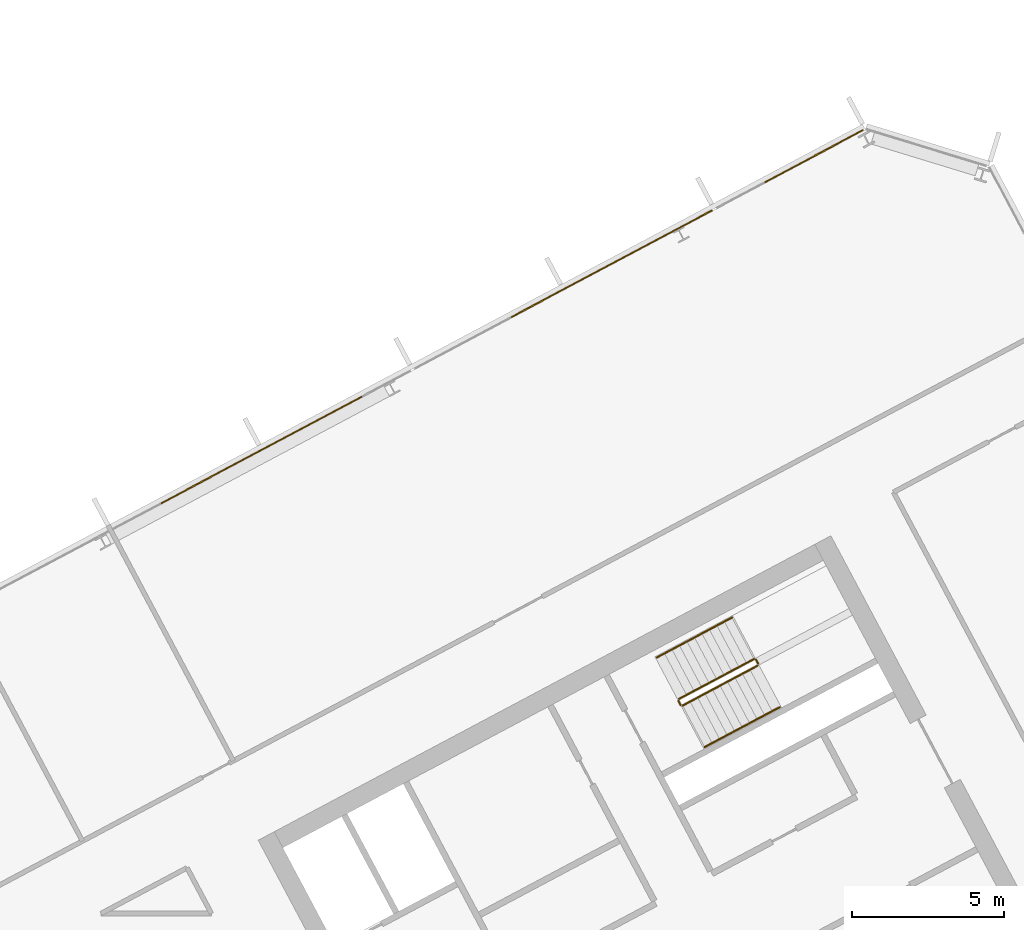
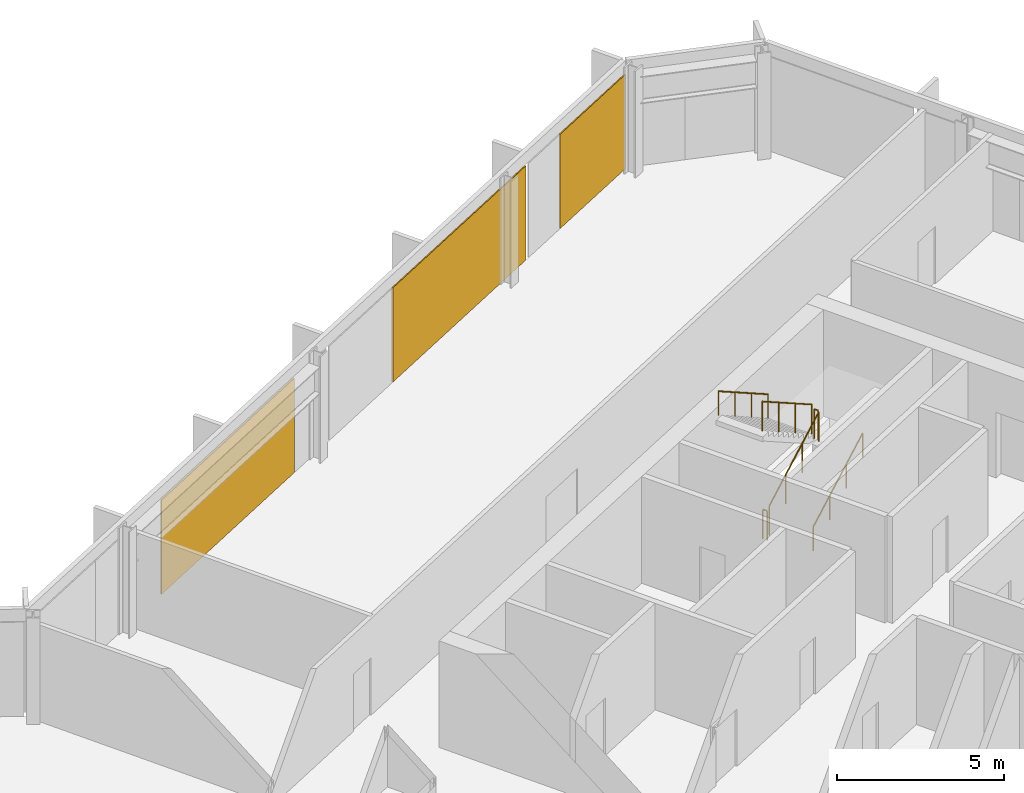
# One storey, part 25 of 26: 6 railings, 3 coverings, 1 element without a shape of its own.
"""IFC4 building model written with IfcOpenShell, lengths in metres."""

from ifc_helpers import new_model, si_unit, direction, frame, origin, origin_2d, place, context, subcontext, project, spatial, polyline, rectangle, outline, extrude, material, layer, layer_set, type_object, element, aggregate, save


model = new_model("IFC4")

# Units and contexts
model_context = context("Model", 3, precision=1e-05, world=origin(), true_north=direction((0.0, 1.0)))
body_context = subcontext(model_context, "Body", "Model", "MODEL_VIEW")
ifc_project = project(units=[si_unit("LENGTHUNIT", "METRE"), si_unit("AREAUNIT", "SQUARE_METRE"), si_unit("VOLUMEUNIT", "CUBIC_METRE"), si_unit("PLANEANGLEUNIT", "RADIAN"), si_unit("MASSUNIT", "GRAM", prefix="KILO")], contexts=[model_context])

# Site, building, storey
site_placement = place(None, origin())
site = spatial("IfcSite", under=ifc_project, at=site_placement, CompositionType="ELEMENT")
building_placement = place(site_placement, origin())
building = spatial("IfcBuilding", under=site, at=building_placement, Name="Cormorant Relay Tower", CompositionType="ELEMENT")
storey_placement = place(building_placement, frame((0.0, 0.0, 205.199951171875)))
storey = spatial("IfcBuildingStorey", under=building, at=storey_placement, Name="L44", CompositionType="ELEMENT", Elevation=205.199951171875)

# Curtain wall, coverings
ifc_material_1 = material(Name="Aluminium 6063-T6 anodised bronze", Category="aluminium")
ifc_layer_1 = layer(ifc_material_1, 0.199951171875)
ifc_layer_set_1 = layer_set([ifc_layer_1], Name="CW1 unitised bronze curtain wall with vertical fins")
curtain_wall_type = type_object("IfcCurtainWallType", Name="CW1 unitised bronze curtain wall with vertical fins", PredefinedType="NOTDEFINED", material=ifc_layer_set_1)
curtain_wall_placement = place(storey_placement, origin())
curtain_wall = element("IfcCurtainWall", 1, at=curtain_wall_placement, inside=storey, type_object=curtain_wall_type, Name="CW1 curtain wall 8", PredefinedType="NOTDEFINED")
ifc_material_2 = material(Name="Pale bronze anodised aluminium insulated panel", Category="aluminium")
ifc_layer_2 = layer(ifc_material_2, 0.0400390625)
ifc_layer_set_2 = layer_set([ifc_layer_2], Name="CW1 pale bronze insulated panel 40")
covering_type = type_object("IfcCoveringType", Name="CW1 pale bronze insulated panel 40", PredefinedType="CLADDING", material=ifc_layer_set_2)
covering_1_placement = place(storey_placement, frame((28.16943359375, 38.78466796875, 0.0), z_axis=(0.0, 0.0, 1.0), x_axis=(-0.882947592859, -0.469471562786, 0.0)))
covering_1 = element("IfcCovering", 2, at=covering_1_placement, type_object=covering_type, Name="CW1 panel S00", PredefinedType="CLADDING", context=body_context, shape_type="SweptSolid", body=[
    extrude(rectangle(XDim=3.68896484375, YDim=0.0400390625, at=origin_2d()), origin(), (0.0, 0.0, 1.0), 3.449951171875),
])
covering_2_placement = place(storey_placement, frame((21.49560546875, 35.236083984375, 0.0), z_axis=(0.0, 0.0, 1.0), x_axis=(-0.882947592859, -0.469471562786, 0.0)))
covering_2 = element("IfcCovering", 3, at=covering_2_placement, type_object=covering_type, Name="CW1 panel S02", PredefinedType="CLADDING", context=body_context, shape_type="SweptSolid", body=[
    extrude(rectangle(XDim=7.528076171875, YDim=0.0400390625, at=origin_2d()), origin(), (0.0, 0.0, 1.0), 3.449951171875),
])
covering_3_placement = place(storey_placement, frame((9.948486328125, 29.09619140625, 0.0), z_axis=(0.0, 0.0, 1.0), x_axis=(-0.882947592859, -0.469471562786, 0.0)))
covering_3 = element("IfcCovering", 4, at=covering_3_placement, type_object=covering_type, Name="CW1 panel S05", PredefinedType="CLADDING", context=body_context, shape_type="SweptSolid", body=[
    extrude(rectangle(XDim=7.528076171875, YDim=0.0400390625, at=origin_2d()), origin(), (0.0, 0.0, 1.0), 3.449951171875),
])
aggregate(curtain_wall, [covering_1, covering_2, covering_3])

# Railings
ifc_material_3 = material(Name="Steel ASTM A572 Grade 50 (Fy 345 MPa)", Category="steel")
railing_type_1 = type_object("IfcRailingType", Name="Stair guard 1100", PredefinedType="GUARDRAIL", material=ifc_material_3)
railing_1_placement = place(storey_placement, frame((23.8408203125, 20.6611328125, 0.17724609375)))
element("IfcRailing", 5, at=railing_1_placement, inside=storey, type_object=railing_type_1, Name="L44 B2 stair guard 1", PredefinedType="GUARDRAIL", context=body_context, shape_type="SweptSolid", body=[
    extrude(outline(polyline([(0.022216796875, 0.00927734375), (0.00927734375, 0.022216796875), (-0.00927734375, 0.022216796875), (-0.022216796875, 0.00927734375), (-0.022216796875, -0.00927734375), (-0.00927734375, -0.022216796875), (0.00927734375, -0.022216796875), (0.022216796875, -0.00927734375), (0.022216796875, 0.00927734375)])), frame((0.0, 0.0, 1.076171875), z_axis=(0.746033882577, 0.396627473466, 0.534901947407), x_axis=(-0.469429322983, 0.882970050864, 0.0)), (0.0, 0.0, 1.0), 3.31396484375),
    extrude(outline(polyline([(0.019287109375, 0.008056640625), (0.008056640625, 0.019287109375), (-0.008056640625, 0.019287109375), (-0.019287109375, 0.008056640625), (-0.019287109375, -0.008056640625), (-0.008056640625, -0.019287109375), (0.008056640625, -0.019287109375), (0.019287109375, -0.008056640625), (0.019287109375, 0.008056640625)])), origin(), (0.0, 0.0, 1.0), 1.052001953125),
    extrude(outline(polyline([(0.019287109375, 0.008056640625), (0.008056640625, 0.019287109375), (-0.008056640625, 0.019287109375), (-0.019287109375, 0.008056640625), (-0.019287109375, -0.008056640625), (-0.008056640625, -0.019287109375), (0.008056640625, -0.019287109375), (0.019287109375, -0.008056640625), (0.019287109375, 0.008056640625)])), frame((0.82421875, 0.438232421875, 0.5908203125)), (0.0, 0.0, 1.0), 1.052001953125),
    extrude(outline(polyline([(0.019287109375, 0.008056640625), (0.008056640625, 0.019287109375), (-0.008056640625, 0.019287109375), (-0.019287109375, 0.008056640625), (-0.019287109375, -0.008056640625), (-0.008056640625, -0.019287109375), (0.008056640625, -0.019287109375), (0.019287109375, -0.008056640625), (0.019287109375, 0.008056640625)])), frame((1.648193359375, 0.876220703125, 1.181884765625)), (0.0, 0.0, 1.0), 1.052001953125),
    extrude(outline(polyline([(0.019287109375, 0.008056640625), (0.008056640625, 0.019287109375), (-0.008056640625, 0.019287109375), (-0.019287109375, 0.008056640625), (-0.019287109375, -0.008056640625), (-0.008056640625, -0.019287109375), (0.008056640625, -0.019287109375), (0.019287109375, -0.008056640625), (0.019287109375, 0.008056640625)])), frame((2.472412109375, 1.314453125, 1.772705078125)), (0.0, 0.0, 1.0), 1.052001953125),
])
railing_2_placement = place(storey_placement, frame((26.333740234375, 22.043212890625, 1.949951171875)))
element("IfcRailing", 6, at=railing_2_placement, inside=storey, type_object=railing_type_1, Name="L44 B2 stair guard 2", PredefinedType="GUARDRAIL", context=body_context, shape_type="SweptSolid", body=[
    extrude(outline(polyline([(0.022216796875, 0.00927734375), (0.00927734375, 0.022216796875), (-0.00927734375, 0.022216796875), (-0.022216796875, 0.00927734375), (-0.022216796875, -0.00927734375), (-0.00927734375, -0.022216796875), (0.00927734375, -0.022216796875), (0.022216796875, -0.00927734375), (0.022216796875, 0.00927734375)])), frame((0.0, 0.0, 1.076171875), z_axis=(-0.469234640946, 0.883073525669, 0.0), x_axis=(-0.883073525669, -0.469234640946, 0.0)), (0.0, 0.0, 1.0), 0.14990234375),
    extrude(outline(polyline([(0.019287109375, 0.008056640625), (0.008056640625, 0.019287109375), (-0.008056640625, 0.019287109375), (-0.019287109375, 0.008056640625), (-0.019287109375, -0.008056640625), (-0.008056640625, -0.019287109375), (0.008056640625, -0.019287109375), (0.019287109375, -0.008056640625), (0.019287109375, 0.008056640625)])), origin(), (0.0, 0.0, 1.0), 1.052001953125),
    extrude(outline(polyline([(0.019287109375, 0.008056640625), (0.008056640625, 0.019287109375), (-0.008056640625, 0.019287109375), (-0.019287109375, 0.008056640625), (-0.019287109375, -0.008056640625), (-0.008056640625, -0.019287109375), (0.008056640625, -0.019287109375), (0.019287109375, -0.008056640625), (0.019287109375, 0.008056640625)])), frame((-0.0703125, 0.13232421875, 0.0)), (0.0, 0.0, 1.0), 1.052001953125),
])
railing_3_placement = place(storey_placement, frame((26.19580078125, 22.1962890625, 2.12744140625)))
element("IfcRailing", 7, at=railing_3_placement, inside=storey, type_object=railing_type_1, Name="L44 B2 stair guard 3", PredefinedType="GUARDRAIL", context=body_context, shape_type="SweptSolid", body=[
    extrude(outline(polyline([(0.022216796875, 0.00927734375), (0.00927734375, 0.022216796875), (-0.00927734375, 0.022216796875), (-0.022216796875, 0.00927734375), (-0.022216796875, -0.00927734375), (-0.00927734375, -0.022216796875), (0.00927734375, -0.022216796875), (0.022216796875, -0.00927734375), (0.022216796875, 0.00927734375)])), frame((0.0, 0.0, 1.076171875), z_axis=(-0.746033882577, -0.396627473466, 0.534901947407), x_axis=(0.469429322983, -0.882970050864, 0.0)), (0.0, 0.0, 1.0), 3.31396484375),
    extrude(outline(polyline([(0.019287109375, 0.008056640625), (0.008056640625, 0.019287109375), (-0.008056640625, 0.019287109375), (-0.019287109375, 0.008056640625), (-0.019287109375, -0.008056640625), (-0.008056640625, -0.019287109375), (0.008056640625, -0.019287109375), (0.019287109375, -0.008056640625), (0.019287109375, 0.008056640625)])), origin(), (0.0, 0.0, 1.0), 1.052001953125),
    extrude(outline(polyline([(0.019287109375, 0.008056640625), (0.008056640625, 0.019287109375), (-0.008056640625, 0.019287109375), (-0.019287109375, 0.008056640625), (-0.019287109375, -0.008056640625), (-0.008056640625, -0.019287109375), (0.008056640625, -0.019287109375), (0.019287109375, -0.008056640625), (0.019287109375, 0.008056640625)])), frame((-0.82421875, -0.438232421875, 0.5908203125)), (0.0, 0.0, 1.0), 1.052001953125),
    extrude(outline(polyline([(0.019287109375, 0.008056640625), (0.008056640625, 0.019287109375), (-0.008056640625, 0.019287109375), (-0.019287109375, 0.008056640625), (-0.019287109375, -0.008056640625), (-0.008056640625, -0.019287109375), (0.008056640625, -0.019287109375), (0.019287109375, -0.008056640625), (0.019287109375, 0.008056640625)])), frame((-1.648193359375, -0.876220703125, 1.181884765625)), (0.0, 0.0, 1.0), 1.052001953125),
    extrude(outline(polyline([(0.019287109375, 0.008056640625), (0.008056640625, 0.019287109375), (-0.008056640625, 0.019287109375), (-0.019287109375, 0.008056640625), (-0.019287109375, -0.008056640625), (-0.008056640625, -0.019287109375), (0.008056640625, -0.019287109375), (0.019287109375, -0.008056640625), (0.019287109375, 0.008056640625)])), frame((-2.472412109375, -1.314453125, 1.772705078125)), (0.0, 0.0, 1.0), 1.052001953125),
])
railing_4_placement = place(storey_placement, frame((23.773193359375, 20.681640625, 0.0)))
element("IfcRailing", 8, at=railing_4_placement, inside=storey, type_object=railing_type_1, Name="L44 B2 stair guard 4", PredefinedType="GUARDRAIL", context=body_context, shape_type="SweptSolid", body=[
    extrude(outline(polyline([(0.022216796875, 0.00927734375), (0.00927734375, 0.022216796875), (-0.00927734375, 0.022216796875), (-0.022216796875, 0.00927734375), (-0.022216796875, -0.00927734375), (-0.00927734375, -0.022216796875), (0.00927734375, -0.022216796875), (0.022216796875, -0.00927734375), (0.022216796875, 0.00927734375)])), frame((0.0, 0.0, 1.076171875), z_axis=(-0.46856034887, 0.8834314911, 0.0), x_axis=(-0.8834314911, -0.46856034887, 0.0)), (0.0, 0.0, 1.0), 0.150146484375),
    extrude(outline(polyline([(0.019287109375, 0.008056640625), (0.008056640625, 0.019287109375), (-0.008056640625, 0.019287109375), (-0.019287109375, 0.008056640625), (-0.019287109375, -0.008056640625), (-0.008056640625, -0.019287109375), (0.008056640625, -0.019287109375), (0.019287109375, -0.008056640625), (0.019287109375, 0.008056640625)])), origin(), (0.0, 0.0, 1.0), 1.052001953125),
    extrude(outline(polyline([(0.019287109375, 0.008056640625), (0.008056640625, 0.019287109375), (-0.008056640625, 0.019287109375), (-0.019287109375, 0.008056640625), (-0.019287109375, -0.008056640625), (-0.008056640625, -0.019287109375), (0.008056640625, -0.019287109375), (0.019287109375, -0.008056640625), (0.019287109375, 0.008056640625)])), frame((-0.0703125, 0.132568359375, 0.0)), (0.0, 0.0, 1.0), 1.052001953125),
])
ifc_material_4 = material(Name="Steel ASTM A572 Grade 50 (Fy 345 MPa)", Category="steel")
railing_type_2 = type_object("IfcRailingType", Name="Stair handrail 900", PredefinedType="HANDRAIL", material=ifc_material_4)
railing_5_placement = place(storey_placement, frame((24.568603515625, 19.29248046875, 0.17724609375)))
element("IfcRailing", 9, at=railing_5_placement, inside=storey, type_object=railing_type_2, Name="L44 B2 stair handrail 1", PredefinedType="HANDRAIL", context=body_context, shape_type="SweptSolid", body=[
    extrude(outline(polyline([(0.022216796875, 0.00927734375), (0.00927734375, 0.022216796875), (-0.00927734375, 0.022216796875), (-0.022216796875, 0.00927734375), (-0.022216796875, -0.00927734375), (-0.00927734375, -0.022216796875), (0.00927734375, -0.022216796875), (0.022216796875, -0.00927734375), (0.022216796875, 0.00927734375)])), frame((0.0, 0.0, 0.8759765625), z_axis=(0.746001213114, 0.396649272309, 0.534931345884), x_axis=(-0.469465464807, 0.882950835185, 0.0)), (0.0, 0.0, 1.0), 3.31396484375),
    extrude(outline(polyline([(0.019287109375, 0.008056640625), (0.008056640625, 0.019287109375), (-0.008056640625, 0.019287109375), (-0.019287109375, 0.008056640625), (-0.019287109375, -0.008056640625), (-0.008056640625, -0.019287109375), (0.008056640625, -0.019287109375), (0.019287109375, -0.008056640625), (0.019287109375, 0.008056640625)])), origin(), (0.0, 0.0, 1.0), 0.851806640625),
    extrude(outline(polyline([(0.019287109375, 0.008056640625), (0.008056640625, 0.019287109375), (-0.008056640625, 0.019287109375), (-0.019287109375, 0.008056640625), (-0.019287109375, -0.008056640625), (-0.008056640625, -0.019287109375), (0.008056640625, -0.019287109375), (0.019287109375, -0.008056640625), (0.019287109375, 0.008056640625)])), frame((0.823974609375, 0.438232421875, 0.5908203125)), (0.0, 0.0, 1.0), 0.851806640625),
    extrude(outline(polyline([(0.019287109375, 0.008056640625), (0.008056640625, 0.019287109375), (-0.008056640625, 0.019287109375), (-0.019287109375, 0.008056640625), (-0.019287109375, -0.008056640625), (-0.008056640625, -0.019287109375), (0.008056640625, -0.019287109375), (0.019287109375, -0.008056640625), (0.019287109375, 0.008056640625)])), frame((1.648193359375, 0.876220703125, 1.181884765625)), (0.0, 0.0, 1.0), 0.851806640625),
    extrude(outline(polyline([(0.019287109375, 0.008056640625), (0.008056640625, 0.019287109375), (-0.008056640625, 0.019287109375), (-0.019287109375, 0.008056640625), (-0.019287109375, -0.008056640625), (-0.008056640625, -0.019287109375), (0.008056640625, -0.019287109375), (0.019287109375, -0.008056640625), (0.019287109375, 0.008056640625)])), frame((2.47216796875, 1.314453125, 1.772705078125)), (0.0, 0.0, 1.0), 0.851806640625),
])
railing_6_placement = place(storey_placement, frame((25.468017578125, 23.56494140625, 2.12744140625)))
element("IfcRailing", 10, at=railing_6_placement, inside=storey, type_object=railing_type_2, Name="L44 B2 stair handrail 2", PredefinedType="HANDRAIL", context=body_context, shape_type="SweptSolid", body=[
    extrude(outline(polyline([(0.022216796875, 0.00927734375), (0.00927734375, 0.022216796875), (-0.00927734375, 0.022216796875), (-0.022216796875, 0.00927734375), (-0.022216796875, -0.00927734375), (-0.00927734375, -0.022216796875), (0.00927734375, -0.022216796875), (0.022216796875, -0.00927734375), (0.022216796875, 0.00927734375)])), frame((0.0, 0.0, 0.8759765625), z_axis=(-0.745979412481, -0.396711350603, 0.534915713414), x_axis=(0.469533439143, -0.882914689835, 0.0)), (0.0, 0.0, 1.0), 3.31396484375),
    extrude(outline(polyline([(0.019287109375, 0.008056640625), (0.008056640625, 0.019287109375), (-0.008056640625, 0.019287109375), (-0.019287109375, 0.008056640625), (-0.019287109375, -0.008056640625), (-0.008056640625, -0.019287109375), (0.008056640625, -0.019287109375), (0.019287109375, -0.008056640625), (0.019287109375, 0.008056640625)])), origin(), (0.0, 0.0, 1.0), 0.851806640625),
    extrude(outline(polyline([(0.019287109375, 0.008056640625), (0.008056640625, 0.019287109375), (-0.008056640625, 0.019287109375), (-0.019287109375, 0.008056640625), (-0.019287109375, -0.008056640625), (-0.008056640625, -0.019287109375), (0.008056640625, -0.019287109375), (0.019287109375, -0.008056640625), (0.019287109375, 0.008056640625)])), frame((-0.823974609375, -0.438232421875, 0.5908203125)), (0.0, 0.0, 1.0), 0.851806640625),
    extrude(outline(polyline([(0.019287109375, 0.008056640625), (0.008056640625, 0.019287109375), (-0.008056640625, 0.019287109375), (-0.019287109375, 0.008056640625), (-0.019287109375, -0.008056640625), (-0.008056640625, -0.019287109375), (0.008056640625, -0.019287109375), (0.019287109375, -0.008056640625), (0.019287109375, 0.008056640625)])), frame((-1.648193359375, -0.87646484375, 1.181884765625)), (0.0, 0.0, 1.0), 0.851806640625),
    extrude(outline(polyline([(0.019287109375, 0.008056640625), (0.008056640625, 0.019287109375), (-0.008056640625, 0.019287109375), (-0.019287109375, 0.008056640625), (-0.019287109375, -0.008056640625), (-0.008056640625, -0.019287109375), (0.008056640625, -0.019287109375), (0.019287109375, -0.008056640625), (0.019287109375, 0.008056640625)])), frame((-2.47216796875, -1.314697265625, 1.772705078125)), (0.0, 0.0, 1.0), 0.851806640625),
])

save(model, "model.ifc")
